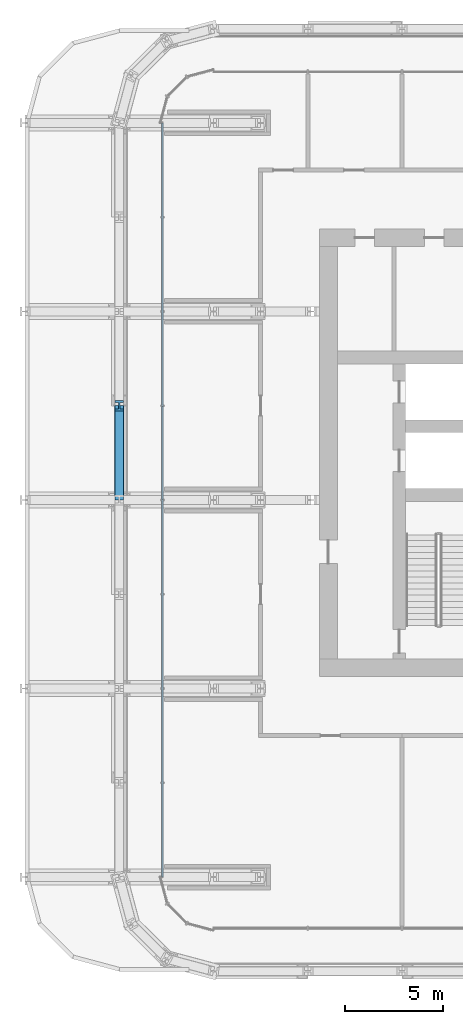
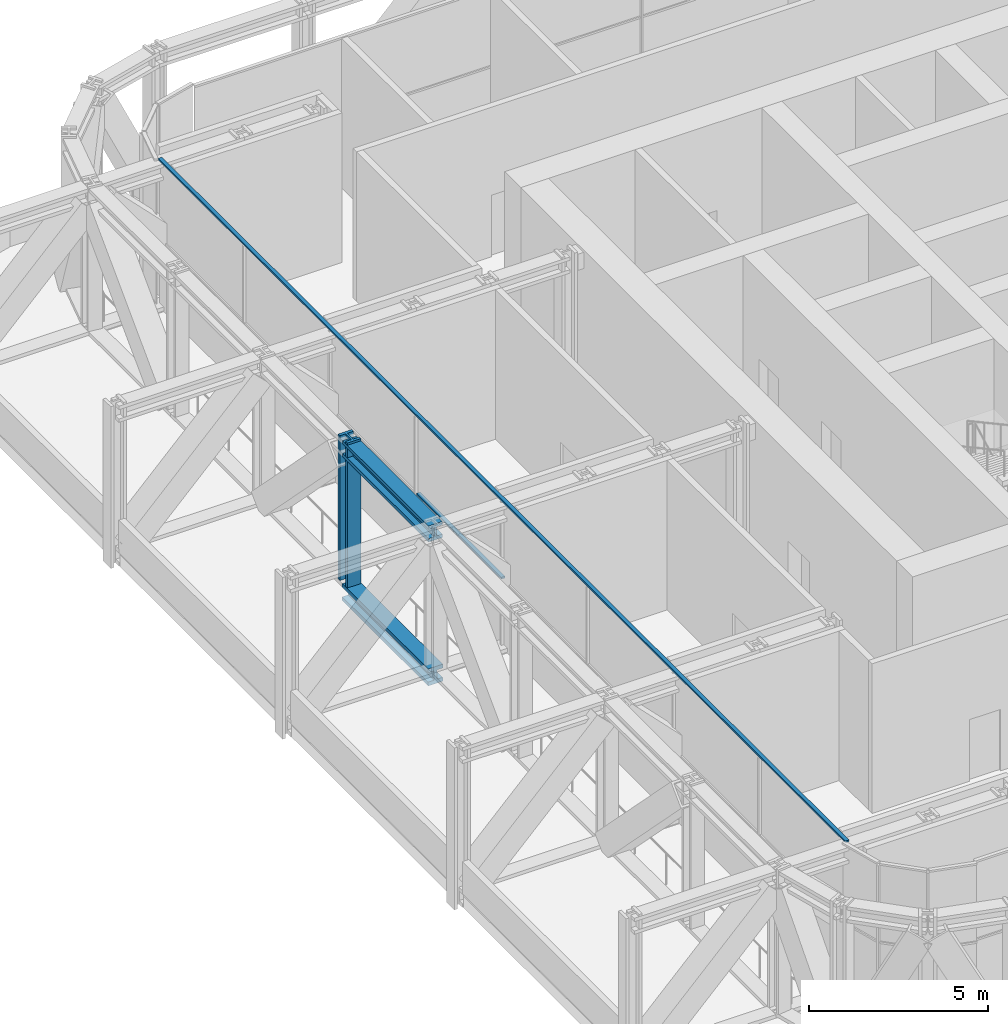
# One storey, part 4 of 30: 5 members, 1 element without a shape of its own.
"""IFC4 building model written with IfcOpenShell, lengths in metres."""

from ifc_helpers import new_model, si_unit, direction, frame, origin, origin_2d, place, context, subcontext, project, spatial, rectangle, i_section, extrude, material, layer, layer_set, material_profile, profile_set, type_object, element, aggregate, save


model = new_model("IFC4")

# Units and contexts
model_context = context("Model", 3, precision=1e-05, world=origin(), true_north=direction((0.0, 1.0)))
body_context = subcontext(model_context, "Body", "Model", "MODEL_VIEW")
ifc_project = project(units=[si_unit("LENGTHUNIT", "METRE"), si_unit("AREAUNIT", "SQUARE_METRE"), si_unit("VOLUMEUNIT", "CUBIC_METRE"), si_unit("PLANEANGLEUNIT", "RADIAN"), si_unit("MASSUNIT", "GRAM", prefix="KILO")], contexts=[model_context])

# Site, building, storey
site_placement = place(None, origin())
site = spatial("IfcSite", under=ifc_project, at=site_placement, CompositionType="ELEMENT")
building_placement = place(site_placement, origin())
building = spatial("IfcBuilding", under=site, at=building_placement, Name="Madar Terraces", CompositionType="ELEMENT")
storey_placement = place(building_placement, frame((0.0, 0.0, 53.89990234375)))
storey = spatial("IfcBuildingStorey", under=building, at=storey_placement, Name="L13", CompositionType="ELEMENT", Elevation=53.89990234375)

# Member
ifc_material_1 = material(Name="Steel ASTM A913 Grade 65", Category="steel")
ifc_material_profile_1 = material_profile(ifc_material_1, i_section(OverallWidth=0.472412109375, OverallDepth=0.5791015625, WebThickness=0.094970703125, FlangeThickness=0.130126953125, at=origin_2d()), Name="W14x808")
ifc_profile_set_1 = profile_set([ifc_material_profile_1], Name="Steel ASTM A913 Grade 65")
member_type_1 = type_object("IfcMemberType", Name="BC2 W14x808", PredefinedType="CHORD", material=ifc_profile_set_1)
member_1_placement = place(storey_placement, frame((4.800048828125, 28.800048828125, -0.13037109375), z_axis=(0.0, -1.0, 0.0), x_axis=(1.0, 0.0, 0.0)))
element("IfcMember", 1, at=member_1_placement, inside=storey, type_object=member_type_1, Name="Exoskeleton truss ring bottom chord BC2", PredefinedType="CHORD", context=body_context, shape_type="SweptSolid", body=[
    extrude(i_section(OverallWidth=0.472412109375, OverallDepth=0.5791015625, WebThickness=0.094970703125, FlangeThickness=0.130126953125, at=origin_2d()), origin(), (0.0, 0.0, 1.0), 4.800048828125),
])

# Curtain wall, members
ifc_material_2 = material(Name="Glass, ceramic frit dark grey, with black aluminium frame", Category="aluminium")
ifc_layer = layer(ifc_material_2, 0.199951171875)
ifc_layer_set = layer_set([ifc_layer], Name="Facade curtain wall, tall glazing")
curtain_wall_type = type_object("IfcCurtainWallType", Name="Facade curtain wall, tall glazing", PredefinedType="NOTDEFINED", material=ifc_layer_set)
curtain_wall_placement = place(storey_placement, origin())
curtain_wall = element("IfcCurtainWall", 2, at=curtain_wall_placement, inside=storey, type_object=curtain_wall_type, Name="Outer skin curtain wall west bay 1", PredefinedType="NOTDEFINED")
ifc_material_3 = material(Name="Aluminium, black anodised", Category="aluminium")
ifc_material_profile_2 = material_profile(ifc_material_3, rectangle(XDim=0.1201171875, YDim=0.06005859375, at=origin_2d()), Name="Facade transom 60x120")
ifc_profile_set_2 = profile_set([ifc_material_profile_2], Name="Aluminium, black anodised")
member_type_2 = type_object("IfcMemberType", Name="Facade transom 60x120", PredefinedType="USERDEFINED", material=ifc_profile_set_2)
member_2_placement = place(storey_placement, frame((7.0, 43.199951171875, 5.070068359375), z_axis=(0.0, -1.0, 0.0), x_axis=(1.0, 0.0, 0.0)))
member_2 = element("IfcMember", 3, at=member_2_placement, type_object=member_type_2, Name="Transom 1", ObjectType="TRANSOM", PredefinedType="USERDEFINED", context=body_context, shape_type="SweptSolid", body=[
    extrude(rectangle(XDim=0.1201171875, YDim=0.06005859375, at=origin_2d()), origin(), (0.0, 0.0, 1.0), 38.39990234375),
])
member_3_placement = place(storey_placement, frame((7.0, 28.77001953125, 2.400146484375), z_axis=(0.0, -1.0, 0.0), x_axis=(1.0, 0.0, 0.0)))
member_3 = element("IfcMember", 4, at=member_3_placement, type_object=member_type_2, Name="Transom 5", ObjectType="TRANSOM", PredefinedType="USERDEFINED", context=body_context, shape_type="SweptSolid", body=[
    extrude(rectangle(XDim=0.1201171875, YDim=0.06005859375, at=origin_2d()), origin(), (0.0, 0.0, 1.0), 4.739990234375),
])
aggregate(curtain_wall, [member_2, member_3])

# Members
ifc_material_4 = material(Name="Steel ASTM A913 Grade 65", Category="steel")
ifc_material_profile_3 = material_profile(ifc_material_4, i_section(OverallWidth=0.449462890625, OverallDepth=0.548583984375, WebThickness=0.07177734375, FlangeThickness=0.11474609375, at=origin_2d()), Name="W14x665")
ifc_profile_set_3 = profile_set([ifc_material_profile_3], Name="Steel ASTM A913 Grade 65")
member_type_3 = type_object("IfcMemberType", Name="TC2 W14x665", PredefinedType="CHORD", material=ifc_profile_set_3)
member_4_placement = place(storey_placement, frame((4.800048828125, 28.800048828125, 4.755859375), z_axis=(0.0, -1.0, 0.0), x_axis=(1.0, 0.0, 0.0)))
element("IfcMember", 5, at=member_4_placement, inside=storey, type_object=member_type_3, Name="Exoskeleton truss ring top chord TC2", PredefinedType="CHORD", context=body_context, shape_type="SweptSolid", body=[
    extrude(i_section(OverallWidth=0.449462890625, OverallDepth=0.548583984375, WebThickness=0.07177734375, FlangeThickness=0.11474609375, at=origin_2d()), origin(), (0.0, 0.0, 1.0), 4.800048828125),
])
ifc_material_5 = material(Name="Steel ASTM A913 Grade 65", Category="steel")
ifc_material_profile_4 = material_profile(ifc_material_5, i_section(OverallWidth=0.436767578125, OverallDepth=0.51318359375, WebThickness=0.060546875, FlangeThickness=0.096923828125, at=origin_2d()), Name="W14x550")
ifc_profile_set_4 = profile_set([ifc_material_profile_4], Name="Steel ASTM A913 Grade 65")
member_type_4 = type_object("IfcMemberType", Name="TV2 W14x550", PredefinedType="POST", material=ifc_profile_set_4)
member_5_placement = place(storey_placement, frame((4.800048828125, 28.800048828125, 0.1591796875), z_axis=(0.0, 0.0, 1.0), x_axis=(1.0, 0.0, 0.0)))
element("IfcMember", 6, at=member_5_placement, inside=storey, type_object=member_type_4, Name="Exoskeleton truss ring post TV2", PredefinedType="POST", context=body_context, shape_type="SweptSolid", body=[
    extrude(i_section(OverallWidth=0.436767578125, OverallDepth=0.51318359375, WebThickness=0.060546875, FlangeThickness=0.096923828125, at=origin_2d()), origin(), (0.0, 0.0, 1.0), 4.94091796875),
])

save(model, "model.ifc")
